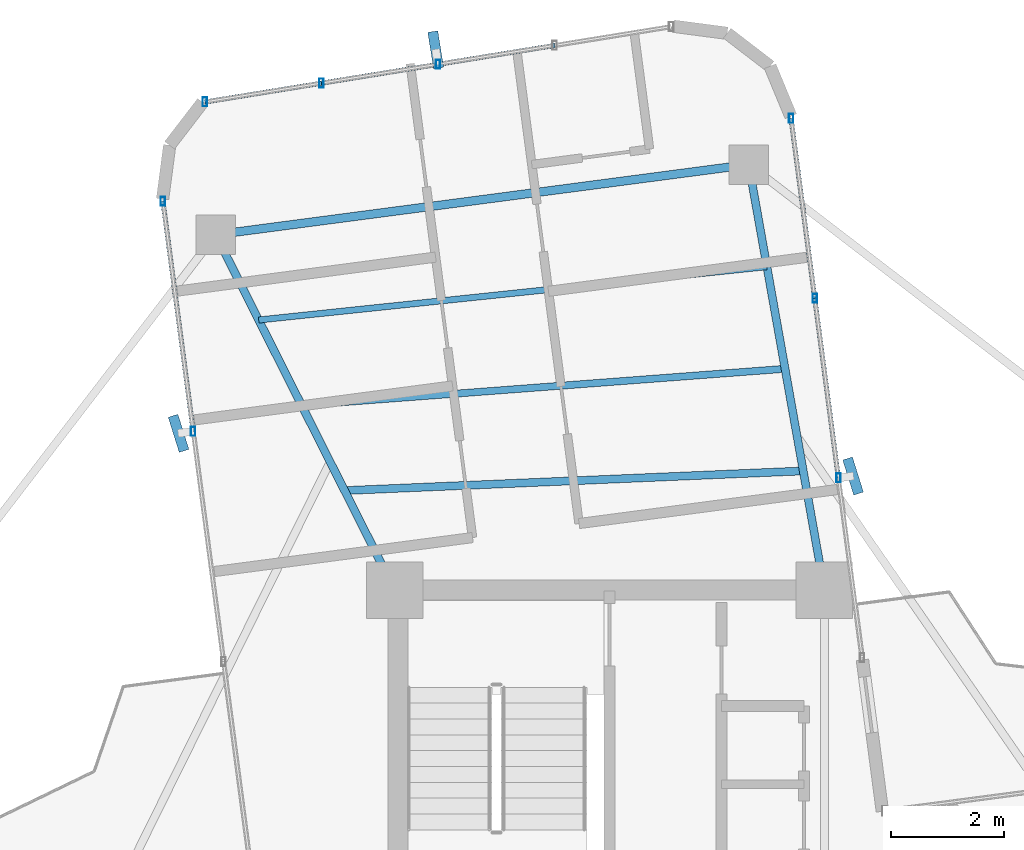
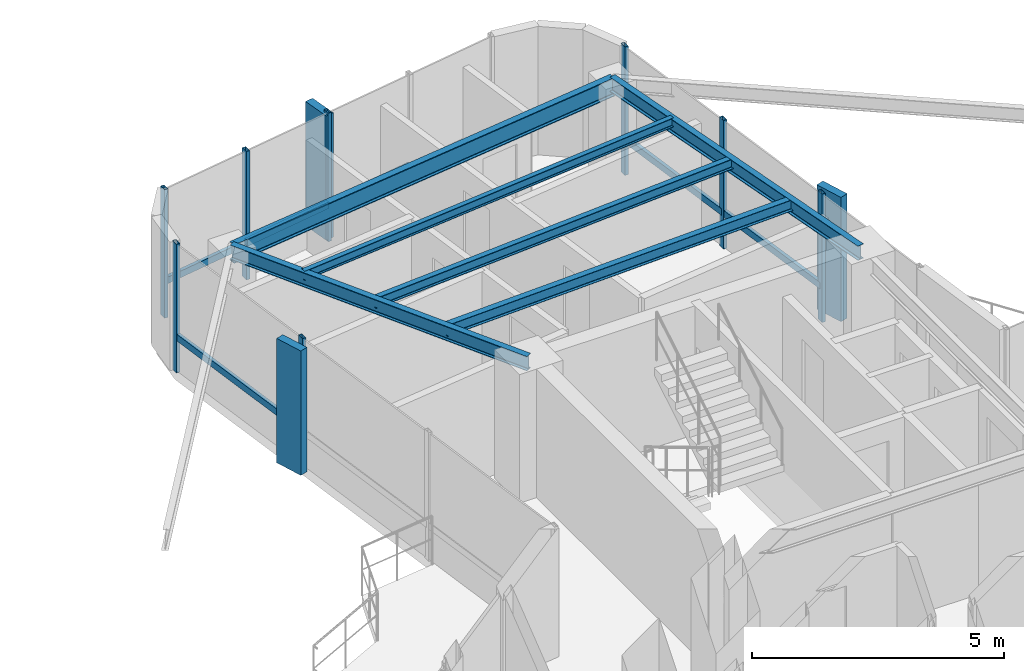
# One storey, part 14 of 23: 17 members, 6 beams, 3 elements without a shape of their own.
"""IFC4 building model written with IfcOpenShell, lengths in metres."""

from ifc_helpers import new_model, si_unit, direction, frame, origin, origin_2d, place, context, subcontext, project, spatial, rectangle, hollow_rectangle, i_section, extrude, source, transform, mapped, material, material_profile, profile_set, type_object, element, aggregate, save


model = new_model("IFC4")

# Units and contexts
model_context = context("Model", 3, precision=1e-05, world=origin(), true_north=direction((0.0, 1.0)))
body_context = subcontext(model_context, "Body", "Model", "MODEL_VIEW")
ifc_project = project(units=[si_unit("LENGTHUNIT", "METRE"), si_unit("AREAUNIT", "SQUARE_METRE"), si_unit("VOLUMEUNIT", "CUBIC_METRE"), si_unit("PLANEANGLEUNIT", "RADIAN"), si_unit("MASSUNIT", "GRAM", prefix="KILO")], contexts=[model_context])

# Site, building, storey
site_placement = place(None, origin())
site = spatial("IfcSite", under=ifc_project, at=site_placement, CompositionType="ELEMENT")
building_placement = place(site_placement, origin())
building = spatial("IfcBuilding", under=site, at=building_placement, Name="Sahyath Konkavel Grand Hotel", CompositionType="ELEMENT")
storey_placement = place(building_placement, frame((0.0, 0.0, 254.550048828125)))
storey = spatial("IfcBuildingStorey", under=building, at=storey_placement, Name="L71", CompositionType="ELEMENT", Elevation=254.550048828125)

# Beams
ifc_material_1 = material(Name="Steel E350", Category="steel")
ifc_material_profile_1 = material_profile(ifc_material_1, i_section(OverallWidth=0.139892578125, OverallDepth=0.35009765625, WebThickness=0.008056640625, FlangeThickness=0.01416015625, FilletRadius=0.013916015625, at=origin_2d()), Name="ISMB 350")
ifc_profile_set_1 = profile_set([ifc_material_profile_1], Name="Steel E350")
beam_type_1 = type_object("IfcBeamType", Name="BM-ISMB350", PredefinedType="BEAM", material=ifc_profile_set_1)
shared_shape_1 = source(origin(), body_context, "Body", "SweptSolid", [
    extrude(i_section(OverallWidth=0.139892578125, OverallDepth=0.35009765625, WebThickness=0.008056640625, FlangeThickness=0.01416015625, FilletRadius=0.013916015625, at=origin_2d()), origin(), (0.0, 0.0, 1.0), 7.64404296875),
])
beam_1_placement = place(storey_placement, frame((3.800048828125, 10.199951171875, 2.93505859375), z_axis=(-0.175120711014, 0.984546970222, 0.0), x_axis=(-0.984546970222, -0.175120711014, 0.0)))
element("IfcBeam", 1, at=beam_1_placement, inside=storey, type_object=beam_type_1, Name="L71 Cruciform Radial Girder NA", PredefinedType="BEAM", context=body_context, shape_type="MappedRepresentation", body=[
    mapped(shared_shape_1, transform((0.0, 0.0, 0.0), scale=1.0)),
])
shared_shape_2 = source(origin(), body_context, "Body", "SweptSolid", [
    extrude(i_section(OverallWidth=0.139892578125, OverallDepth=0.35009765625, WebThickness=0.008056640625, FlangeThickness=0.01416015625, FilletRadius=0.013916015625, at=origin_2d()), origin(), (0.0, 0.0, 1.0), 7.036865234375),
])
beam_2_placement = place(storey_placement, frame((-3.800048828125, 10.199951171875, 2.93505859375), z_axis=(-0.449806819185, 0.89312587322, 0.0), x_axis=(-0.89312587322, -0.449806819185, 0.0)))
element("IfcBeam", 2, at=beam_2_placement, inside=storey, type_object=beam_type_1, Name="L71 Cruciform Radial Girder NB", PredefinedType="BEAM", context=body_context, shape_type="MappedRepresentation", body=[
    mapped(shared_shape_2, transform((0.0, 0.0, 0.0), scale=1.0)),
])
ifc_material_profile_2 = material_profile(ifc_material_1, i_section(OverallWidth=0.14990234375, OverallDepth=0.449951171875, WebThickness=0.009521484375, FlangeThickness=0.017333984375, FilletRadius=0.014892578125, at=origin_2d()), Name="ISMB 450")
ifc_profile_set_2 = profile_set([ifc_material_profile_2], Name="Steel E350")
beam_type_2 = type_object("IfcBeamType", Name="BM-ISMB450", PredefinedType="BEAM", material=ifc_profile_set_2)
shared_shape_3 = source(origin(), body_context, "Body", "SweptSolid", [
    extrude(i_section(OverallWidth=0.14990234375, OverallDepth=0.449951171875, WebThickness=0.009521484375, FlangeThickness=0.017333984375, FilletRadius=0.014892578125, at=origin_2d()), origin(), (0.0, 0.0, 1.0), 9.508056640625),
])
beam_3_placement = place(storey_placement, frame((2.46142578125, 17.725830078125, 2.885009765625), z_axis=(-0.991446078287, -0.130516948512, 0.0), x_axis=(0.130516948512, -0.991446078287, 0.0)))
element("IfcBeam", 3, at=beam_3_placement, inside=storey, type_object=beam_type_2, Name="L71 Wing Tip Edge Beam N", PredefinedType="BEAM", context=body_context, shape_type="MappedRepresentation", body=[
    mapped(shared_shape_3, transform((0.0, 0.0, 0.0), scale=1.0)),
])
ifc_material_profile_3 = material_profile(ifc_material_1, i_section(OverallWidth=0.139892578125, OverallDepth=0.27490234375, WebThickness=0.00634765625, FlangeThickness=0.0087890625, FilletRadius=0.012939453125, at=origin_2d()), Name="ISLB 275")
ifc_profile_set_3 = profile_set([ifc_material_profile_3], Name="Steel E350")
beam_type_3 = type_object("IfcBeamType", Name="BM-ISLB275", PredefinedType="BEAM", material=ifc_profile_set_3)
shared_shape_4 = source(origin(), body_context, "Body", "SweptSolid", [
    extrude(i_section(OverallWidth=0.139892578125, OverallDepth=0.27490234375, WebThickness=0.00634765625, FlangeThickness=0.0087890625, FilletRadius=0.012939453125, at=origin_2d()), origin(), (0.0, 0.0, 1.0), 8.119140625),
])
beam_4_placement = place(storey_placement, frame((3.42529296875, 12.307373046875, 2.972412109375), z_axis=(-0.999082803932, -0.042819982327, 0.0), x_axis=(0.042819982327, -0.999082803932, 0.0)))
element("IfcBeam", 4, at=beam_4_placement, inside=storey, type_object=beam_type_3, Name="L71 Secondary Floor Beam N-1", PredefinedType="BEAM", context=body_context, shape_type="MappedRepresentation", body=[
    mapped(shared_shape_4, transform((0.0, 0.0, 0.0), scale=1.0)),
])
ifc_material_profile_4 = material_profile(ifc_material_1, i_section(OverallWidth=0.125, OverallDepth=0.25, WebThickness=0.0068359375, FlangeThickness=0.012451171875, FilletRadius=0.012939453125, at=origin_2d()), Name="ISMB 250")
ifc_profile_set_4 = profile_set([ifc_material_profile_4], Name="Steel E350")
beam_type_4 = type_object("IfcBeamType", Name="BM-ISMB250", PredefinedType="BEAM", material=ifc_profile_set_4)
shared_shape_5 = source(origin(), body_context, "Body", "SweptSolid", [
    extrude(i_section(OverallWidth=0.125, OverallDepth=0.25, WebThickness=0.0068359375, FlangeThickness=0.012451171875, FilletRadius=0.012939453125, at=origin_2d()), origin(), (0.0, 0.0, 1.0), 8.574462890625),
])
beam_5_placement = place(storey_placement, frame((3.10400390625, 14.113525390625, 2.98486328125), z_axis=(-0.997162184983, -0.075283310502, 0.0), x_axis=(0.075283310502, -0.997162184983, 0.0)))
element("IfcBeam", 5, at=beam_5_placement, inside=storey, type_object=beam_type_4, Name="L71 Secondary Floor Beam N-2", PredefinedType="BEAM", context=body_context, shape_type="MappedRepresentation", body=[
    mapped(shared_shape_5, transform((0.0, 0.0, 0.0), scale=1.0)),
])
ifc_material_profile_5 = material_profile(ifc_material_1, i_section(OverallWidth=0.110107421875, OverallDepth=0.22509765625, WebThickness=0.006591796875, FlangeThickness=0.01171875, FilletRadius=0.011962890625, at=origin_2d()), Name="ISMB 225")
ifc_profile_set_5 = profile_set([ifc_material_profile_5], Name="Steel E350")
beam_type_5 = type_object("IfcBeamType", Name="BM-ISMB225", PredefinedType="BEAM", material=ifc_profile_set_5)
shared_shape_6 = source(origin(), body_context, "Body", "SweptSolid", [
    extrude(i_section(OverallWidth=0.110107421875, OverallDepth=0.22509765625, WebThickness=0.006591796875, FlangeThickness=0.01171875, FilletRadius=0.011962890625, at=origin_2d()), origin(), (0.0, 0.0, 1.0), 9.03759765625),
])
beam_6_placement = place(storey_placement, frame((2.78271484375, 15.919677734375, 2.99755859375), z_axis=(-0.994540182916, -0.104354322213, 0.0), x_axis=(0.104354322213, -0.994540182916, 0.0)))
element("IfcBeam", 6, at=beam_6_placement, inside=storey, type_object=beam_type_5, Name="L71 Secondary Floor Beam N-3", PredefinedType="BEAM", context=body_context, shape_type="MappedRepresentation", body=[
    mapped(shared_shape_6, transform((0.0, 0.0, 0.0), scale=1.0)),
])

# Curtain wall, members
ifc_material_2 = material(Name="Anodised Bronze Aluminium & Low-E Glazing", Category="aluminium")
curtain_wall_type = type_object("IfcCurtainWallType", Name="CW-ZONE4", PredefinedType="NOTDEFINED", material=ifc_material_2)
curtain_wall_1_placement = place(storey_placement, origin())
curtain_wall_1 = element("IfcCurtainWall", 7, at=curtain_wall_1_placement, inside=storey, type_object=curtain_wall_type, Name="L71 Unitised Curtain Wall F8", PredefinedType="NOTDEFINED")
ifc_material_3 = material(Name="Anodised Bronze Aluminium", Category="aluminium")
ifc_material_profile_6 = material_profile(ifc_material_3, hollow_rectangle(XDim=0.080078125, YDim=0.159912109375, WallThickness=0.006103515625, at=origin_2d()), Name="RHS 160x80x6")
ifc_profile_set_6 = profile_set([ifc_material_profile_6], Name="Anodised Bronze Aluminium")
member_type_1 = type_object("IfcMemberType", Name="CW-MUL-160", PredefinedType="MULLION", material=ifc_profile_set_6)
shared_shape_7 = source(origin(), body_context, "Body", "SweptSolid", [
    extrude(hollow_rectangle(XDim=0.080078125, YDim=0.159912109375, WallThickness=0.006103515625, at=origin_2d()), origin(), (0.0, 0.0, 1.0), 3.10986328125),
])
member_1_placement = place(storey_placement, frame((4.048583984375, 12.18310546875, 0.0), z_axis=(0.0, 0.0, 1.0), x_axis=(1.0, 0.0, 0.0)))
member_1 = element("IfcMember", 8, at=member_1_placement, type_object=member_type_1, Name="L71 Curtain Wall Mullion F8-1", PredefinedType="MULLION", context=body_context, shape_type="MappedRepresentation", body=[
    mapped(shared_shape_7, transform((0.0, 0.0, 0.0), scale=1.0)),
])
member_2_placement = place(storey_placement, frame((3.6298828125, 15.36181640625, 0.0), z_axis=(0.0, 0.0, 1.0), x_axis=(1.0, 0.0, 0.0)))
member_2 = element("IfcMember", 9, at=member_2_placement, type_object=member_type_1, Name="L71 Curtain Wall Mullion F8-2", PredefinedType="MULLION", context=body_context, shape_type="MappedRepresentation", body=[
    mapped(shared_shape_7, transform((0.0, 0.0, 0.0), scale=1.0)),
])
member_3_placement = place(storey_placement, frame((3.21142578125, 18.540771484375, 0.0), z_axis=(0.0, 0.0, 1.0), x_axis=(1.0, 0.0, 0.0)))
member_3 = element("IfcMember", 10, at=member_3_placement, type_object=member_type_1, Name="L71 Curtain Wall Mullion F8-3", PredefinedType="MULLION", context=body_context, shape_type="MappedRepresentation", body=[
    mapped(shared_shape_7, transform((0.0, 0.0, 0.0), scale=1.0)),
])

curtain_wall_2_placement = place(storey_placement, origin())
curtain_wall_2 = element("IfcCurtainWall", 11, at=curtain_wall_2_placement, inside=storey, type_object=curtain_wall_type, Name="L71 Unitised Curtain Wall F12", PredefinedType="NOTDEFINED")
member_4_placement = place(storey_placement, frame((-3.03369140625, 19.5, 0.0), z_axis=(0.0, 0.0, 1.0), x_axis=(1.0, 0.0, 0.0)))
member_4 = element("IfcMember", 12, at=member_4_placement, type_object=member_type_1, Name="L71 Curtain Wall Mullion F12-2", PredefinedType="MULLION", context=body_context, shape_type="MappedRepresentation", body=[
    mapped(shared_shape_7, transform((0.0, 0.0, 0.0), scale=1.0)),
])
member_5_placement = place(storey_placement, frame((-5.09619140625, 19.16650390625, 0.0), z_axis=(0.0, 0.0, 1.0), x_axis=(1.0, 0.0, 0.0)))
member_5 = element("IfcMember", 13, at=member_5_placement, type_object=member_type_1, Name="L71 Curtain Wall Mullion F12-3", PredefinedType="MULLION", context=body_context, shape_type="MappedRepresentation", body=[
    mapped(shared_shape_7, transform((0.0, 0.0, 0.0), scale=1.0)),
])
member_6_placement = place(storey_placement, frame((-7.158447265625, 18.8330078125, 0.0), z_axis=(0.0, 0.0, 1.0), x_axis=(1.0, 0.0, 0.0)))
member_6 = element("IfcMember", 14, at=member_6_placement, type_object=member_type_1, Name="L71 Curtain Wall Mullion F12-4", PredefinedType="MULLION", context=body_context, shape_type="MappedRepresentation", body=[
    mapped(shared_shape_7, transform((0.0, 0.0, 0.0), scale=1.0)),
])

curtain_wall_3_placement = place(storey_placement, origin())
curtain_wall_3 = element("IfcCurtainWall", 15, at=curtain_wall_3_placement, inside=storey, type_object=curtain_wall_type, Name="L71 Unitised Curtain Wall F15", PredefinedType="NOTDEFINED")
member_7_placement = place(storey_placement, frame((-7.900634765625, 17.077880859375, 0.0), z_axis=(0.0, 0.0, 1.0), x_axis=(1.0, 0.0, 0.0)))
member_7 = element("IfcMember", 16, at=member_7_placement, type_object=member_type_1, Name="L71 Curtain Wall Mullion F15-0", PredefinedType="MULLION", context=body_context, shape_type="MappedRepresentation", body=[
    mapped(shared_shape_7, transform((0.0, 0.0, 0.0), scale=1.0)),
])
member_8_placement = place(storey_placement, frame((-7.36474609375, 13.006591796875, 0.0), z_axis=(0.0, 0.0, 1.0), x_axis=(1.0, 0.0, 0.0)))
member_8 = element("IfcMember", 17, at=member_8_placement, type_object=member_type_1, Name="L71 Curtain Wall Mullion F15-1", PredefinedType="MULLION", context=body_context, shape_type="MappedRepresentation", body=[
    mapped(shared_shape_7, transform((0.0, 0.0, 0.0), scale=1.0)),
])

# Member
ifc_material_4 = material(Name="Warm Buff Sandstone Cladding on Concrete C50/60", Category="masonry")
ifc_material_profile_7 = material_profile(ifc_material_4, rectangle(XDim=0.179931640625, YDim=0.64990234375, at=origin_2d()), Name="FIN 180x650")
ifc_profile_set_7 = profile_set([ifc_material_profile_7], Name="Warm Buff Sandstone Cladding on Concrete C50/60")
member_type_2 = type_object("IfcMemberType", Name="FIN-SANDSTONE-650", PredefinedType="MULLION", material=ifc_profile_set_7)
shared_shape_8 = source(origin(), body_context, "Body", "SweptSolid", [
    extrude(rectangle(XDim=0.179931640625, YDim=0.64990234375, at=origin_2d()), origin(), (0.0, 0.0, 1.0), 3.010009765625),
])
member_9_placement = place(storey_placement, frame((4.306396484375, 12.216796875, 0.050048828125), z_axis=(0.0, 0.0, 1.0), x_axis=(0.954083620326, 0.299540390309, 0.0)))
member_9 = element("IfcMember", 18, at=member_9_placement, type_object=member_type_2, Name="L71 Sandstone Vertical Solar Fin FIN F8-1", PredefinedType="MULLION", context=body_context, shape_type="MappedRepresentation", body=[
    mapped(shared_shape_8, transform((0.0, 0.0, 0.0), scale=1.0)),
])

member_10_placement = place(storey_placement, frame((-3.0751953125, 19.756591796875, 0.050048828125), z_axis=(0.0, 0.0, 1.0), x_axis=(0.98724764263, 0.159191997666, 0.0)))
member_10 = element("IfcMember", 19, at=member_10_placement, type_object=member_type_2, Name="L71 Sandstone Vertical Solar Fin FIN F12-2", PredefinedType="MULLION", context=body_context, shape_type="MappedRepresentation", body=[
    mapped(shared_shape_8, transform((0.0, 0.0, 0.0), scale=1.0)),
])

member_11_placement = place(storey_placement, frame((-7.62255859375, 12.97265625, 0.050048828125), z_axis=(0.0, 0.0, 1.0), x_axis=(0.954083620326, 0.299540390309, 0.0)))
member_11 = element("IfcMember", 20, at=member_11_placement, type_object=member_type_2, Name="L71 Sandstone Vertical Solar Fin FIN F15-1", PredefinedType="MULLION", context=body_context, shape_type="MappedRepresentation", body=[
    mapped(shared_shape_8, transform((0.0, 0.0, 0.0), scale=1.0)),
])

ifc_material_profile_8 = material_profile(ifc_material_3, hollow_rectangle(XDim=0.080078125, YDim=0.159912109375, WallThickness=0.006103515625, at=origin_2d()), Name="RHS 160x80x6")
ifc_profile_set_8 = profile_set([ifc_material_profile_8], Name="Anodised Bronze Aluminium")
member_type_3 = type_object("IfcMemberType", Name="CW-TRN-160", PredefinedType="USERDEFINED", material=ifc_profile_set_8)
shared_shape_9 = source(origin(), body_context, "Body", "SweptSolid", [
    extrude(hollow_rectangle(XDim=0.080078125, YDim=0.159912109375, WallThickness=0.006103515625, at=origin_2d()), origin(), (0.0, 0.0, 1.0), 3.206298828125),
])
member_12_placement = place(storey_placement, frame((3.6298828125, 15.36181640625, 0.849853515625), z_axis=(-0.130507692693, 0.991447296707, 0.0), x_axis=(-0.991447296707, -0.130507692693, 0.0)))
member_12 = element("IfcMember", 21, at=member_12_placement, type_object=member_type_3, Name="L71 Curtain Wall Transom F8-2-spandrel", ObjectType="TRANSOM", PredefinedType="USERDEFINED", context=body_context, shape_type="MappedRepresentation", body=[
    mapped(shared_shape_9, transform((0.0, 0.0, 0.0), scale=1.0)),
])

shared_shape_10 = source(origin(), body_context, "Body", "SweptSolid", [
    extrude(hollow_rectangle(XDim=0.080078125, YDim=0.159912109375, WallThickness=0.006103515625, at=origin_2d()), origin(), (0.0, 0.0, 1.0), 3.2060546875),
])
member_13_placement = place(storey_placement, frame((4.048583984375, 12.18310546875, 0.849853515625), z_axis=(-0.130592395224, 0.991436143334, 0.0), x_axis=(-0.991436143334, -0.130592395224, 0.0)))
member_13 = element("IfcMember", 22, at=member_13_placement, type_object=member_type_3, Name="L71 Curtain Wall Transom F8-1-spandrel", ObjectType="TRANSOM", PredefinedType="USERDEFINED", context=body_context, shape_type="MappedRepresentation", body=[
    mapped(shared_shape_10, transform((0.0, 0.0, 0.0), scale=1.0)),
])

aggregate(curtain_wall_1, [member_1, member_9, member_2, member_3, member_13, member_12])

shared_shape_11 = source(origin(), body_context, "Body", "SweptSolid", [
    extrude(hollow_rectangle(XDim=0.080078125, YDim=0.159912109375, WallThickness=0.006103515625, at=origin_2d()), origin(), (0.0, 0.0, 1.0), 2.08935546875),
])
member_14_placement = place(storey_placement, frame((-3.03369140625, 19.5, 0.849853515625), z_axis=(-0.987178232193, -0.159621859041, 0.0), x_axis=(0.159621859041, -0.987178232193, 0.0)))
member_14 = element("IfcMember", 23, at=member_14_placement, type_object=member_type_3, Name="L71 Curtain Wall Transom F12-2-spandrel", ObjectType="TRANSOM", PredefinedType="USERDEFINED", context=body_context, shape_type="MappedRepresentation", body=[
    mapped(shared_shape_11, transform((0.0, 0.0, 0.0), scale=1.0)),
])

shared_shape_12 = source(origin(), body_context, "Body", "SweptSolid", [
    extrude(hollow_rectangle(XDim=0.080078125, YDim=0.159912109375, WallThickness=0.006103515625, at=origin_2d()), origin(), (0.0, 0.0, 1.0), 2.089111328125),
])
member_15_placement = place(storey_placement, frame((-0.971435546875, 19.83349609375, 0.849853515625), z_axis=(-0.987175254352, -0.159640274351, 0.0), x_axis=(0.159640274351, -0.987175254352, 0.0)))
member_15 = element("IfcMember", 24, at=member_15_placement, type_object=member_type_3, Name="L71 Curtain Wall Transom F12-1-spandrel", ObjectType="TRANSOM", PredefinedType="USERDEFINED", context=body_context, shape_type="MappedRepresentation", body=[
    mapped(shared_shape_12, transform((0.0, 0.0, 0.0), scale=1.0)),
])

member_16_placement = place(storey_placement, frame((-5.09619140625, 19.16650390625, 0.849853515625), z_axis=(-0.987175254352, -0.159640274351, 0.0), x_axis=(0.159640274351, -0.987175254352, 0.0)))
member_16 = element("IfcMember", 25, at=member_16_placement, type_object=member_type_3, Name="L71 Curtain Wall Transom F12-3-spandrel", ObjectType="TRANSOM", PredefinedType="USERDEFINED", context=body_context, shape_type="MappedRepresentation", body=[
    mapped(shared_shape_12, transform((0.0, 0.0, 0.0), scale=1.0)),
])

aggregate(curtain_wall_2, [member_4, member_10, member_5, member_6, member_15, member_14, member_16])

shared_shape_13 = source(origin(), body_context, "Body", "SweptSolid", [
    extrude(hollow_rectangle(XDim=0.080078125, YDim=0.159912109375, WallThickness=0.006103515625, at=origin_2d()), origin(), (0.0, 0.0, 1.0), 4.1064453125),
])
member_17_placement = place(storey_placement, frame((-7.900634765625, 17.077880859375, 0.849853515625), z_axis=(0.13050065069, -0.991448223645, 0.0), x_axis=(0.991448223645, 0.13050065069, 0.0)))
member_17 = element("IfcMember", 26, at=member_17_placement, type_object=member_type_3, Name="L71 Curtain Wall Transom F15-0-spandrel", ObjectType="TRANSOM", PredefinedType="USERDEFINED", context=body_context, shape_type="MappedRepresentation", body=[
    mapped(shared_shape_13, transform((0.0, 0.0, 0.0), scale=1.0)),
])

aggregate(curtain_wall_3, [member_7, member_8, member_11, member_17])

save(model, "model.ifc")
